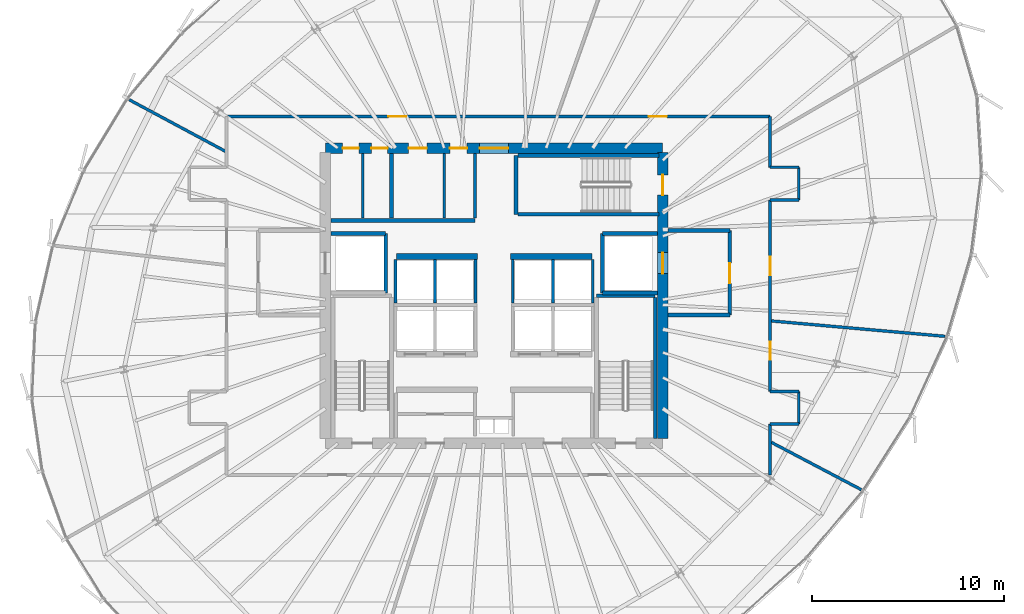
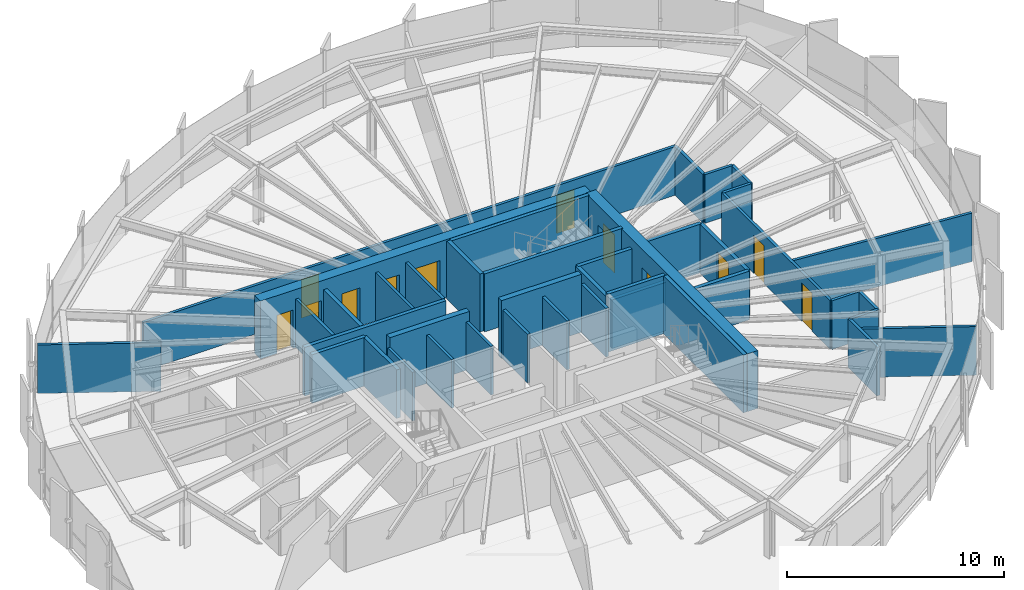
# One storey, part 30 of 34: 41 walls, 12 doors, 12 openings.
"""IFC4 building model written with IfcOpenShell, lengths in metres."""

from ifc_helpers import new_model, si_unit, direction, frame, frame_2d, origin, place, context, subcontext, project, spatial, rectangle, extrude, source, transform, mapped, material, layer, layer_set, type_object, element, fill, save


model = new_model("IFC4")

# Units and contexts
model_context = context("Model", 3, precision=1e-05, world=origin(), true_north=direction((0.0, 1.0)))
body_context = subcontext(model_context, "Body", "Model", "MODEL_VIEW")
ifc_project = project(units=[si_unit("LENGTHUNIT", "METRE"), si_unit("AREAUNIT", "SQUARE_METRE"), si_unit("VOLUMEUNIT", "CUBIC_METRE"), si_unit("PLANEANGLEUNIT", "RADIAN"), si_unit("MASSUNIT", "GRAM", prefix="KILO"), si_unit("THERMODYNAMICTEMPERATUREUNIT", "KELVIN")], contexts=[model_context])

# Site, building, storey
site_placement = place(None, origin())
site = spatial("IfcSite", under=ifc_project, at=site_placement, CompositionType="ELEMENT")
building_placement = place(site_placement, origin())
building = spatial("IfcBuilding", under=site, at=building_placement, Name="Kethvar Cultural Tower", CompositionType="ELEMENT")
storey_placement = place(building_placement, frame((0.0, 0.0, 186.89990234375)))
storey = spatial("IfcBuildingStorey", under=building, at=storey_placement, Name="L48", CompositionType="ELEMENT", Elevation=186.89990234375)

# Wall, openings, doors
ifc_material_1 = material(Name="Concrete C60/75", Category="concrete")
ifc_layer_1 = layer(ifc_material_1, 0.550048828125, Name="Concrete C60/75", Category="concrete")
ifc_layer_set_1 = layer_set([ifc_layer_1], Name="Concrete C60/75 (550 mm)")
wall_type_1 = type_object("IfcWallType", Name="WL-CORE-550", PredefinedType="SHEAR", material=ifc_layer_set_1)
wall_1_placement = place(storey_placement, frame((55.60009765625, 35.5, 0.0), z_axis=(0.0, 0.0, 1.0), x_axis=(-1.0, 0.0, 0.0)))
wall_1 = element("IfcWall", 1, at=wall_1_placement, inside=storey, type_object=wall_type_1, Name="L48 Core Shear Wall N", PredefinedType="SHEAR", context=body_context, shape_type="SweptSolid", body=[
    extrude(rectangle(XDim=17.60009765625, YDim=0.550048828125, at=frame_2d((8.800048828125, 0.0))), origin(), (0.0, 0.0, 1.0), 3.260009765625),
])
opening_1_placement = place(wall_1_placement, frame((8.050048828125, 0.0, 0.0)))
opening_1 = element("IfcOpeningElement", 2, at=opening_1_placement, cuts=wall_1, Name="Opening D-L48-LN", PredefinedType="OPENING", context=body_context, shape_type="SweptSolid", body=[
    extrude(rectangle(XDim=1.5, YDim=2.199951171875, at=frame_2d((0.75, 1.10009765625))), frame((0.0, 0.284912109375, 0.0), z_axis=(0.0, -1.0, 0.0), x_axis=(1.0, 0.0, 0.0)), (0.0, 0.0, 1.0), 0.570068359375),
])
opening_2_placement = place(wall_1_placement, frame((15.85009765625, 0.0, 0.0)))
opening_2 = element("IfcOpeningElement", 3, at=opening_2_placement, cuts=wall_1, Name="Opening D-L48-E1", PredefinedType="OPENING", context=body_context, shape_type="SweptSolid", body=[
    extrude(rectangle(XDim=0.85009765625, YDim=2.14990234375, at=frame_2d((0.425048828125, 1.074951171875))), frame((0.0, 0.284912109375, 0.0), z_axis=(0.0, -1.0, 0.0), x_axis=(1.0, 0.0, 0.0)), (0.0, 0.0, 1.0), 0.570068359375),
])
opening_3_placement = place(wall_1_placement, frame((14.35009765625, 0.0, 0.0)))
opening_3 = element("IfcOpeningElement", 4, at=opening_3_placement, cuts=wall_1, Name="Opening D-L48-E2", PredefinedType="OPENING", context=body_context, shape_type="SweptSolid", body=[
    extrude(rectangle(XDim=0.85009765625, YDim=2.14990234375, at=frame_2d((0.425048828125, 1.074951171875))), frame((0.0, 0.284912109375, 0.0), z_axis=(0.0, -1.0, 0.0), x_axis=(1.0, 0.0, 0.0)), (0.0, 0.0, 1.0), 0.570068359375),
])
opening_4_placement = place(wall_1_placement, frame((12.300048828125, 0.0, 0.0)))
opening_4 = element("IfcOpeningElement", 5, at=opening_4_placement, cuts=wall_1, Name="Opening D-L48-W1", PredefinedType="OPENING", context=body_context, shape_type="SweptSolid", body=[
    extrude(rectangle(XDim=0.949951171875, YDim=2.14990234375, at=frame_2d((0.47509765625, 1.074951171875))), frame((0.0, 0.284912109375, 0.0), z_axis=(0.0, -1.0, 0.0), x_axis=(1.0, 0.0, 0.0)), (0.0, 0.0, 1.0), 0.570068359375),
])
opening_5_placement = place(wall_1_placement, frame((10.199951171875, 0.0, 0.0)))
opening_5 = element("IfcOpeningElement", 6, at=opening_5_placement, cuts=wall_1, Name="Opening D-L48-W2", PredefinedType="OPENING", context=body_context, shape_type="SweptSolid", body=[
    extrude(rectangle(XDim=0.89990234375, YDim=2.14990234375, at=frame_2d((0.449951171875, 1.074951171875))), frame((0.0, 0.284912109375, 0.0), z_axis=(0.0, -1.0, 0.0), x_axis=(1.0, 0.0, 0.0)), (0.0, 0.0, 1.0), 0.570068359375),
])
ifc_material_2 = material(Name="Architectural Oak Timber", Category="wood")
door_type_1 = type_object("IfcDoorType", Name="DR-DBL-FD60-1500", OperationType="DOUBLE_DOOR_SINGLE_SWING", PredefinedType="DOOR", material=ifc_material_2)
shared_shape_1 = source(origin(), body_context, "Body", "SweptSolid", [
    extrude(rectangle(XDim=1.5, YDim=2.199951171875, at=frame_2d((0.75, 1.10009765625))), frame((0.0, 0.02490234375, 0.0), z_axis=(0.0, -1.0, 0.0), x_axis=(1.0, 0.0, 0.0)), (0.0, 0.0, 1.0), 0.050048828125),
])
door_1_placement = place(opening_1_placement, origin())
door_1 = element("IfcDoor", 7, at=door_1_placement, inside=storey, type_object=door_type_1, Name="L48 Lift Lobby Concourse Door", OperationType="DOUBLE_DOOR_SINGLE_SWING", OverallHeight=2.199951171875, OverallWidth=1.5, PredefinedType="DOOR", context=body_context, shape_type="MappedRepresentation", body=[
    mapped(shared_shape_1, transform((0.0, 0.0, 0.0), scale=1.0)),
])
fill(opening_1, door_1)
door_type_2 = type_object("IfcDoorType", Name="DR-FD30-950", OperationType="NOTDEFINED", PredefinedType="DOOR", material=ifc_material_2)
shared_shape_2 = source(origin(), body_context, "Body", "SweptSolid", [
    extrude(rectangle(XDim=0.949951171875, YDim=2.14990234375, at=frame_2d((0.47509765625, 1.074951171875))), frame((0.0, 0.02490234375, 0.0), z_axis=(0.0, -1.0, 0.0), x_axis=(1.0, 0.0, 0.0)), (0.0, 0.0, 1.0), 0.050048828125),
])
door_2_placement = place(opening_4_placement, origin())
door_2 = element("IfcDoor", 8, at=door_2_placement, inside=storey, type_object=door_type_2, Name="L48 Public Washroom Door", OperationType="SINGLE_SWING_LEFT", OverallHeight=2.14990234375, OverallWidth=0.949951171875, PredefinedType="DOOR", context=body_context, shape_type="MappedRepresentation", body=[
    mapped(shared_shape_2, transform((0.0, 0.0, 0.0), scale=1.0)),
])
fill(opening_4, door_2)
door_type_3 = type_object("IfcDoorType", Name="DR-FD30-900", OperationType="NOTDEFINED", PredefinedType="DOOR", material=ifc_material_2)
shared_shape_3 = source(origin(), body_context, "Body", "SweptSolid", [
    extrude(rectangle(XDim=0.89990234375, YDim=2.14990234375, at=frame_2d((0.449951171875, 1.074951171875))), frame((0.0, 0.02490234375, 0.0), z_axis=(0.0, -1.0, 0.0), x_axis=(1.0, 0.0, 0.0)), (0.0, 0.0, 1.0), 0.050048828125),
])
door_3_placement = place(opening_5_placement, origin())
door_3 = element("IfcDoor", 9, at=door_3_placement, inside=storey, type_object=door_type_3, Name="L48 Accessible Washroom Door", OperationType="SINGLE_SWING_RIGHT", OverallHeight=2.14990234375, OverallWidth=0.89990234375, PredefinedType="DOOR", context=body_context, shape_type="MappedRepresentation", body=[
    mapped(shared_shape_3, transform((0.0, 0.0, 0.0), scale=1.0)),
])
fill(opening_5, door_3)
ifc_material_3 = material(Name="Steel S355J2", Category="steel")
door_type_4 = type_object("IfcDoorType", Name="DR-FD30-850", OperationType="NOTDEFINED", PredefinedType="DOOR", material=ifc_material_3)
shared_shape_4 = source(origin(), body_context, "Body", "SweptSolid", [
    extrude(rectangle(XDim=0.85009765625, YDim=2.14990234375, at=frame_2d((0.425048828125, 1.074951171875))), frame((0.0, 0.02490234375, 0.0), z_axis=(0.0, -1.0, 0.0), x_axis=(1.0, 0.0, 0.0)), (0.0, 0.0, 1.0), 0.050048828125),
])
door_4_placement = place(opening_2_placement, origin())
door_4 = element("IfcDoor", 10, at=door_4_placement, inside=storey, type_object=door_type_4, Name="L48 Electrical Riser Door", OperationType="SINGLE_SWING_LEFT", OverallHeight=2.14990234375, OverallWidth=0.85009765625, PredefinedType="DOOR", context=body_context, shape_type="MappedRepresentation", body=[
    mapped(shared_shape_4, transform((0.0, 0.0, 0.0), scale=1.0)),
])
fill(opening_2, door_4)
door_5_placement = place(opening_3_placement, origin())
door_5 = element("IfcDoor", 11, at=door_5_placement, inside=storey, type_object=door_type_4, Name="L48 Chilled Water Riser Door", OperationType="SINGLE_SWING_RIGHT", OverallHeight=2.14990234375, OverallWidth=0.85009765625, PredefinedType="DOOR", context=body_context, shape_type="MappedRepresentation", body=[
    mapped(shared_shape_4, transform((0.0, 0.0, 0.0), scale=1.0)),
])
fill(opening_3, door_5)

wall_2_placement = place(storey_placement, frame((55.60009765625, 20.340087890625, 0.0), z_axis=(0.0, 0.0, 1.0), x_axis=(0.0, 1.0, 0.0)))
wall_2 = element("IfcWall", 12, at=wall_2_placement, inside=storey, type_object=wall_type_1, Name="L48 Core Shear Wall E", PredefinedType="SHEAR", context=body_context, shape_type="SweptSolid", body=[
    extrude(rectangle(XDim=14.919921875, YDim=0.550048828125, at=frame_2d((7.4599609375, 0.0))), origin(), (0.0, 0.0, 1.0), 3.260009765625),
])
opening_6_placement = place(wall_2_placement, frame((12.7099609375, 0.0, 0.0)))
opening_6 = element("IfcOpeningElement", 13, at=opening_6_placement, cuts=wall_2, Name="Opening D-L48-S3", PredefinedType="OPENING", context=body_context, shape_type="SweptSolid", body=[
    extrude(rectangle(XDim=1.050048828125, YDim=2.14990234375, at=frame_2d((0.52490234375, 1.074951171875))), frame((0.0, 0.284912109375, 0.0), z_axis=(0.0, -1.0, 0.0), x_axis=(1.0, 0.0, 0.0)), (0.0, 0.0, 1.0), 0.570068359375),
])
opening_7_placement = place(wall_2_placement, frame((8.610107421875, 0.0, 0.0)))
opening_7 = element("IfcOpeningElement", 14, at=opening_7_placement, cuts=wall_2, Name="Opening LD-2", PredefinedType="OPENING", context=body_context, shape_type="SweptSolid", body=[
    extrude(rectangle(XDim=1.10009765625, YDim=2.199951171875, at=frame_2d((0.550048828125, 1.10009765625))), frame((0.0, 0.284912109375, 0.0), z_axis=(0.0, -1.0, 0.0), x_axis=(1.0, 0.0, 0.0)), (0.0, 0.0, 1.0), 0.570068359375),
])
door_type_5 = type_object("IfcDoorType", Name="DR-FD60-1050", OperationType="NOTDEFINED", PredefinedType="DOOR", material=ifc_material_3)
shared_shape_5 = source(origin(), body_context, "Body", "SweptSolid", [
    extrude(rectangle(XDim=1.050048828125, YDim=2.14990234375, at=frame_2d((0.52490234375, 1.074951171875))), frame((0.0, 0.02490234375, 0.0), z_axis=(0.0, -1.0, 0.0), x_axis=(1.0, 0.0, 0.0)), (0.0, 0.0, 1.0), 0.050048828125),
])
door_6_placement = place(opening_6_placement, origin())
door_6 = element("IfcDoor", 15, at=door_6_placement, inside=storey, type_object=door_type_5, Name="L48 Exit Stair 3 Door", OperationType="SINGLE_SWING_LEFT", OverallHeight=2.14990234375, OverallWidth=1.050048828125, PredefinedType="DOOR", context=body_context, shape_type="MappedRepresentation", body=[
    mapped(shared_shape_5, transform((0.0, 0.0, 0.0), scale=1.0)),
])
fill(opening_6, door_6)
door_type_6 = type_object("IfcDoorType", Name="DR-LIFT-SLIDE-1100", OperationType="NOTDEFINED", PredefinedType="DOOR", material=ifc_material_3)
shared_shape_6 = source(origin(), body_context, "Body", "SweptSolid", [
    extrude(rectangle(XDim=1.10009765625, YDim=2.199951171875, at=frame_2d((0.550048828125, 1.10009765625))), frame((0.0, 0.02490234375, 0.0), z_axis=(0.0, -1.0, 0.0), x_axis=(1.0, 0.0, 0.0)), (0.0, 0.0, 1.0), 0.050048828125),
])
door_7_placement = place(opening_7_placement, origin())
door_7 = element("IfcDoor", 16, at=door_7_placement, inside=storey, type_object=door_type_6, Name="L48 Firefighting Lift Landing Door FFL-02", OperationType="SLIDING_TO_RIGHT", OverallHeight=2.199951171875, OverallWidth=1.10009765625, PredefinedType="DOOR", context=body_context, shape_type="MappedRepresentation", body=[
    mapped(shared_shape_6, transform((0.0, 0.0, 0.0), scale=1.0)),
])
fill(opening_7, door_7)

# Walls
ifc_material_4 = material(Name="Gypsum Fireboard Partition")
ifc_layer_2 = layer(ifc_material_4, 0.14990234375, Name="Gypsum Fireboard Partition")
ifc_layer_set_2 = layer_set([ifc_layer_2], Name="Gypsum Fireboard Partition (150 mm)")
wall_type_2 = type_object("IfcWallType", Name="WL-FIRE-150", PredefinedType="PARTITIONING", material=ifc_layer_set_2)
for number, where, z_axis, x_axis, name in (
    (17, (41.64990234375, 27.409912109375, 0.0), (0.0, 0.0, 1.0), (0.0, 1.0, 0.0), "L48 High-Rise Lift Shaft Outer Wall W"),
    (18, (43.72509765625, 27.409912109375, 0.0), (0.0, 0.0, 1.0), (0.0, 1.0, 0.0), "L48 High-Rise Lift Shaft Divider W"),
    (19, (45.824951171875, 27.409912109375, 0.0), (0.0, 0.0, 1.0), (0.0, 1.0, 0.0), "L48 High-Rise Lift Shaft Concourse Wall W"),
    (20, (47.77490234375, 27.409912109375, 0.0), (0.0, 0.0, 1.0), (0.0, 1.0, 0.0), "L48 High-Rise Lift Shaft Concourse Wall E"),
    (21, (49.875, 27.409912109375, 0.0), (0.0, 0.0, 1.0), (0.0, 1.0, 0.0), "L48 High-Rise Lift Shaft Divider E"),
    (22, (51.949951171875, 27.409912109375, 0.0), (0.0, 0.0, 1.0), (0.0, 1.0, 0.0), "L48 High-Rise Lift Shaft Outer Wall E"),
):
    element("IfcWall", number, at=place(storey_placement, frame(where, z_axis=z_axis, x_axis=x_axis)), inside=storey, type_object=wall_type_2, Name=name, PredefinedType="PARTITIONING", context=body_context, shape_type="SweptSolid", body=[
        extrude(rectangle(XDim=2.27001953125, YDim=0.14990234375, at=frame_2d((1.135009765625, 0.0))), origin(), (0.0, 0.0, 1.0), 2.735107421875),
    ])
for number, where, z_axis, x_axis, name in (
    (23, (45.800048828125, 31.85009765625, 0.0), (0.0, 0.0, 1.0), (0.0, 1.0, 0.0), "L48 Sanitary Spine Wall"),
    (24, (39.949951171875, 31.85009765625, 0.0), (0.0, 0.0, 1.0), (0.0, 1.0, 0.0), "L48 NW Riser Divider"),
):
    element("IfcWall", number, at=place(storey_placement, frame(where, z_axis=z_axis, x_axis=x_axis)), inside=storey, type_object=wall_type_2, Name=name, PredefinedType="PARTITIONING", context=body_context, shape_type="SweptSolid", body=[
        extrude(rectangle(XDim=3.364990234375, YDim=0.14990234375, at=frame_2d((1.6826171875, 0.0))), origin(), (0.0, 0.0, 1.0), 2.735107421875),
    ])
wall_3_placement = place(storey_placement, frame((61.199951171875, 18.449951171875, 0.0), z_axis=(0.0, 0.0, 1.0), x_axis=(0.0, 1.0, 0.0)))
element("IfcWall", 25, at=wall_3_placement, inside=storey, type_object=wall_type_2, Name="L48 Corridor Rated Wall E1", PredefinedType="PARTITIONING", context=body_context, shape_type="SweptSolid", body=[
    extrude(rectangle(XDim=2.650146484375, YDim=0.14990234375, at=frame_2d((1.3251953125, 0.0))), origin(), (0.0, 0.0, 1.0), 2.735107421875),
])
wall_4_placement = place(storey_placement, frame((61.199951171875, 21.10009765625, 0.0), z_axis=(0.0, 0.0, 1.0), x_axis=(1.0, 0.0, 0.0)))
element("IfcWall", 26, at=wall_4_placement, inside=storey, type_object=wall_type_2, Name="L48 Corridor Rated Wall ESB", PredefinedType="PARTITIONING", context=body_context, shape_type="SweptSolid", body=[
    extrude(rectangle(XDim=1.5, YDim=0.14990234375, at=frame_2d((0.75, 0.0))), origin(), (0.0, 0.0, 1.0), 2.735107421875),
])
wall_5_placement = place(storey_placement, frame((62.699951171875, 21.10009765625, 0.0), z_axis=(0.0, 0.0, 1.0), x_axis=(0.0, 1.0, 0.0)))
element("IfcWall", 27, at=wall_5_placement, inside=storey, type_object=wall_type_2, Name="L48 Corridor Rated Wall ES", PredefinedType="PARTITIONING", context=body_context, shape_type="SweptSolid", body=[
    extrude(rectangle(XDim=1.699951171875, YDim=0.14990234375, at=frame_2d((0.85009765625, 0.0))), origin(), (0.0, 0.0, 1.0), 2.735107421875),
])
wall_6_placement = place(storey_placement, frame((62.699951171875, 22.800048828125, 0.0), z_axis=(0.0, 0.0, 1.0), x_axis=(-1.0, 0.0, 0.0)))
element("IfcWall", 28, at=wall_6_placement, inside=storey, type_object=wall_type_2, Name="L48 Corridor Rated Wall EST", PredefinedType="PARTITIONING", context=body_context, shape_type="SweptSolid", body=[
    extrude(rectangle(XDim=1.5, YDim=0.14990234375, at=frame_2d((0.75, 0.0))), origin(), (0.0, 0.0, 1.0), 2.735107421875),
])

# Wall, openings, doors
wall_7_placement = place(storey_placement, frame((61.199951171875, 22.800048828125, 0.0), z_axis=(0.0, 0.0, 1.0), x_axis=(0.0, 1.0, 0.0)))
wall_7 = element("IfcWall", 29, at=wall_7_placement, inside=storey, type_object=wall_type_2, Name="L48 Corridor Rated Wall EM", PredefinedType="PARTITIONING", context=body_context, shape_type="SweptSolid", body=[
    extrude(rectangle(XDim=10.0, YDim=0.14990234375, at=frame_2d((5.0, 0.0))), origin(), (0.0, 0.0, 1.0), 2.735107421875),
])
opening_8_placement = place(wall_7_placement, frame((1.66015625, 0.0, 0.0)))
opening_8 = element("IfcOpeningElement", 30, at=opening_8_placement, cuts=wall_7, Name="Opening D-L48-03", PredefinedType="OPENING", context=body_context, shape_type="SweptSolid", body=[
    extrude(rectangle(XDim=0.949951171875, YDim=2.14990234375, at=frame_2d((0.47509765625, 1.074951171875))), frame((0.0, 0.0849609375, 0.0), z_axis=(0.0, -1.0, 0.0), x_axis=(1.0, 0.0, 0.0)), (0.0, 0.0, 1.0), 0.169921875),
])
opening_9_placement = place(wall_7_placement, frame((6.07958984375, 0.0, 0.0)))
opening_9 = element("IfcOpeningElement", 31, at=opening_9_placement, cuts=wall_7, Name="Opening D-L48-04", PredefinedType="OPENING", context=body_context, shape_type="SweptSolid", body=[
    extrude(rectangle(XDim=0.949951171875, YDim=2.14990234375, at=frame_2d((0.47509765625, 1.074951171875))), frame((0.0, 0.0849609375, 0.0), z_axis=(0.0, -1.0, 0.0), x_axis=(1.0, 0.0, 0.0)), (0.0, 0.0, 1.0), 0.169921875),
])
door_8_placement = place(opening_8_placement, origin())
door_8 = element("IfcDoor", 32, at=door_8_placement, inside=storey, type_object=door_type_2, Name="L48 Decorative Arts Craft Workshop 03 Door", OperationType="SINGLE_SWING_LEFT", OverallHeight=2.14990234375, OverallWidth=0.949951171875, PredefinedType="DOOR", context=body_context, shape_type="MappedRepresentation", body=[
    mapped(shared_shape_2, transform((0.0, 0.0, 0.0), scale=1.0)),
])
fill(opening_8, door_8)
door_9_placement = place(opening_9_placement, origin())
door_9 = element("IfcDoor", 33, at=door_9_placement, inside=storey, type_object=door_type_2, Name="L48 Curatorial Conference Room 04 Door", OperationType="SINGLE_SWING_RIGHT", OverallHeight=2.14990234375, OverallWidth=0.949951171875, PredefinedType="DOOR", context=body_context, shape_type="MappedRepresentation", body=[
    mapped(shared_shape_2, transform((0.0, 0.0, 0.0), scale=1.0)),
])
fill(opening_9, door_9)

# Walls
wall_8_placement = place(storey_placement, frame((61.199951171875, 32.800048828125, 0.0), z_axis=(0.0, 0.0, 1.0), x_axis=(1.0, 0.0, 0.0)))
element("IfcWall", 34, at=wall_8_placement, inside=storey, type_object=wall_type_2, Name="L48 Corridor Rated Wall ENB", PredefinedType="PARTITIONING", context=body_context, shape_type="SweptSolid", body=[
    extrude(rectangle(XDim=1.5, YDim=0.14990234375, at=frame_2d((0.75, 0.0))), origin(), (0.0, 0.0, 1.0), 2.735107421875),
])
wall_9_placement = place(storey_placement, frame((62.699951171875, 32.800048828125, 0.0), z_axis=(0.0, 0.0, 1.0), x_axis=(0.0, 1.0, 0.0)))
element("IfcWall", 35, at=wall_9_placement, inside=storey, type_object=wall_type_2, Name="L48 Corridor Rated Wall EN", PredefinedType="PARTITIONING", context=body_context, shape_type="SweptSolid", body=[
    extrude(rectangle(XDim=1.699951171875, YDim=0.14990234375, at=frame_2d((0.85009765625, 0.0))), origin(), (0.0, 0.0, 1.0), 2.735107421875),
])
wall_10_placement = place(storey_placement, frame((62.699951171875, 34.5, 0.0), z_axis=(0.0, 0.0, 1.0), x_axis=(-1.0, 0.0, 0.0)))
element("IfcWall", 36, at=wall_10_placement, inside=storey, type_object=wall_type_2, Name="L48 Corridor Rated Wall ENT", PredefinedType="PARTITIONING", context=body_context, shape_type="SweptSolid", body=[
    extrude(rectangle(XDim=1.5, YDim=0.14990234375, at=frame_2d((0.75, 0.0))), origin(), (0.0, 0.0, 1.0), 2.735107421875),
])
wall_11_placement = place(storey_placement, frame((61.199951171875, 34.5, 0.0), z_axis=(0.0, 0.0, 1.0), x_axis=(0.0, 1.0, 0.0)))
element("IfcWall", 37, at=wall_11_placement, inside=storey, type_object=wall_type_2, Name="L48 Corridor Rated Wall E2", PredefinedType="PARTITIONING", context=body_context, shape_type="SweptSolid", body=[
    extrude(rectangle(XDim=2.64990234375, YDim=0.14990234375, at=frame_2d((1.324951171875, 0.0))), origin(), (0.0, 0.0, 1.0), 2.735107421875),
])

# Wall, openings, doors
wall_12_placement = place(storey_placement, frame((61.199951171875, 37.14990234375, 0.0), z_axis=(0.0, 0.0, 1.0), x_axis=(-1.0, 0.0, 0.0)))
wall_12 = element("IfcWall", 38, at=wall_12_placement, inside=storey, type_object=wall_type_2, Name="L48 Corridor Rated Wall N", PredefinedType="PARTITIONING", context=body_context, shape_type="SweptSolid", body=[
    extrude(rectangle(XDim=28.349853515625, YDim=0.14990234375, at=frame_2d((14.1748046875, 0.0))), origin(), (0.0, 0.0, 1.0), 2.735107421875),
])
opening_10_placement = place(wall_12_placement, frame((5.380126953125, 0.0, 0.0)))
opening_10 = element("IfcOpeningElement", 39, at=opening_10_placement, cuts=wall_12, Name="Opening D-L48-05", PredefinedType="OPENING", context=body_context, shape_type="SweptSolid", body=[
    extrude(rectangle(XDim=0.949951171875, YDim=2.14990234375, at=frame_2d((0.47509765625, 1.074951171875))), frame((0.0, 0.0849609375, 0.0), z_axis=(0.0, -1.0, 0.0), x_axis=(1.0, 0.0, 0.0)), (0.0, 0.0, 1.0), 0.169921875),
])
opening_11_placement = place(wall_12_placement, frame((18.967041015625, 0.0, 0.0)))
opening_11 = element("IfcOpeningElement", 40, at=opening_11_placement, cuts=wall_12, Name="Opening D-L48-06", PredefinedType="OPENING", context=body_context, shape_type="SweptSolid", body=[
    extrude(rectangle(XDim=0.949951171875, YDim=2.14990234375, at=frame_2d((0.47509765625, 1.074951171875))), frame((0.0, 0.0849609375, 0.0), z_axis=(0.0, -1.0, 0.0), x_axis=(1.0, 0.0, 0.0)), (0.0, 0.0, 1.0), 0.169921875),
])
door_10_placement = place(opening_10_placement, origin())
door_10 = element("IfcDoor", 41, at=door_10_placement, inside=storey, type_object=door_type_2, Name="L48 Colloquium Seminar Room 05 Door", OperationType="SINGLE_SWING_LEFT", OverallHeight=2.14990234375, OverallWidth=0.949951171875, PredefinedType="DOOR", context=body_context, shape_type="MappedRepresentation", body=[
    mapped(shared_shape_2, transform((0.0, 0.0, 0.0), scale=1.0)),
])
fill(opening_10, door_10)
door_11_placement = place(opening_11_placement, origin())
door_11 = element("IfcDoor", 42, at=door_11_placement, inside=storey, type_object=door_type_2, Name="L48 Concourse Visitor Foyer 06 Door", OperationType="SINGLE_SWING_RIGHT", OverallHeight=2.14990234375, OverallWidth=0.949951171875, PredefinedType="DOOR", context=body_context, shape_type="MappedRepresentation", body=[
    mapped(shared_shape_2, transform((0.0, 0.0, 0.0), scale=1.0)),
])
fill(opening_11, door_11)

# Walls
ifc_material_5 = material(Name="Concrete C40/50", Category="concrete")
ifc_layer_3 = layer(ifc_material_5, 0.199951171875, Name="Concrete C40/50", Category="concrete")
ifc_layer_set_3 = layer_set([ifc_layer_3], Name="Concrete C40/50 (200 mm)")
wall_type_3 = type_object("IfcWallType", Name="WL-FIRE-200", PredefinedType="PARTITIONING", material=ifc_layer_set_3)
wall_13_placement = place(storey_placement, frame((41.14990234375, 27.949951171875, 0.0), z_axis=(0.0, 0.0, 1.0), x_axis=(0.0, 1.0, 0.0)))
element("IfcWall", 43, at=wall_13_placement, inside=storey, type_object=wall_type_3, Name="L48 FFL-01 Shaft Inner Wall", PredefinedType="PARTITIONING", context=body_context, shape_type="SweptSolid", body=[
    extrude(rectangle(XDim=3.10009765625, YDim=0.199951171875, at=frame_2d((1.550048828125, 0.0))), origin(), (0.0, 0.0, 1.0), 2.735107421875),
])
wall_14_placement = place(storey_placement, frame((38.284912109375, 31.050048828125, 0.0), z_axis=(0.0, 0.0, 1.0), x_axis=(1.0, 0.0, 0.0)))
element("IfcWall", 44, at=wall_14_placement, inside=storey, type_object=wall_type_3, Name="L48 FFL-01 Shaft North Wall", PredefinedType="PARTITIONING", context=body_context, shape_type="SweptSolid", body=[
    extrude(rectangle(XDim=2.864990234375, YDim=0.199951171875, at=frame_2d((1.4326171875, 0.0))), origin(), (0.0, 0.0, 1.0), 2.735107421875),
])
wall_15_placement = place(storey_placement, frame((52.449951171875, 27.949951171875, 0.0), z_axis=(0.0, 0.0, 1.0), x_axis=(0.0, 1.0, 0.0)))
element("IfcWall", 45, at=wall_15_placement, inside=storey, type_object=wall_type_3, Name="L48 FFL-02 Shaft Inner Wall", PredefinedType="PARTITIONING", context=body_context, shape_type="SweptSolid", body=[
    extrude(rectangle(XDim=3.10009765625, YDim=0.199951171875, at=frame_2d((1.550048828125, 0.0))), origin(), (0.0, 0.0, 1.0), 2.735107421875),
])
for number, where, z_axis, x_axis, name in (
    (46, (52.449951171875, 27.949951171875, 0.0), (0.0, 0.0, 1.0), (1.0, 0.0, 0.0), "L48 FFL-02 Shaft South Wall"),
    (47, (52.449951171875, 31.050048828125, 0.0), (0.0, 0.0, 1.0), (1.0, 0.0, 0.0), "L48 FFL-02 Shaft North Wall"),
):
    element("IfcWall", number, at=place(storey_placement, frame(where, z_axis=z_axis, x_axis=x_axis)), inside=storey, type_object=wall_type_3, Name=name, PredefinedType="PARTITIONING", context=body_context, shape_type="SweptSolid", body=[
        extrude(rectangle(XDim=2.864990234375, YDim=0.199951171875, at=frame_2d((1.4326171875, 0.0))), origin(), (0.0, 0.0, 1.0), 2.735107421875),
    ])

# Wall, opening, door
wall_16_placement = place(storey_placement, frame((59.10009765625, 26.800048828125, 0.0), z_axis=(0.0, 0.0, 1.0), x_axis=(0.0, 1.0, 0.0)))
wall_16 = element("IfcWall", 48, at=wall_16_placement, inside=storey, type_object=wall_type_3, Name="L48 Firefighting Lobby 2 Wall", PredefinedType="PARTITIONING", context=body_context, shape_type="SweptSolid", body=[
    extrude(rectangle(XDim=4.39990234375, YDim=0.199951171875, at=frame_2d((2.199951171875, 0.0))), origin(), (0.0, 0.0, 1.0), 2.735107421875),
])
opening_12_placement = place(wall_16_placement, frame((1.64990234375, 0.0, 0.0)))
opening_12 = element("IfcOpeningElement", 49, at=opening_12_placement, cuts=wall_16, Name="Opening D-L48-F2", PredefinedType="OPENING", context=body_context, shape_type="SweptSolid", body=[
    extrude(rectangle(XDim=1.050048828125, YDim=2.14990234375, at=frame_2d((0.52490234375, 1.074951171875))), frame((0.0, 0.10986328125, 0.0), z_axis=(0.0, -1.0, 0.0), x_axis=(1.0, 0.0, 0.0)), (0.0, 0.0, 1.0), 0.219970703125),
])
door_12_placement = place(opening_12_placement, origin())
door_12 = element("IfcDoor", 50, at=door_12_placement, inside=storey, type_object=door_type_5, Name="L48 Firefighting Lobby 2 Fire Door", OperationType="SINGLE_SWING_LEFT", OverallHeight=2.14990234375, OverallWidth=1.050048828125, PredefinedType="DOOR", context=body_context, shape_type="MappedRepresentation", body=[
    mapped(shared_shape_5, transform((0.0, 0.0, 0.0), scale=1.0)),
])
fill(opening_12, door_12)

# Walls
for number, where, z_axis, x_axis, name in (
    (51, (55.885009765625, 26.800048828125, 0.0), (0.0, 0.0, 1.0), (1.0, 0.0, 0.0), "L48 FF Lobby 2 South Wall"),
    (52, (55.885009765625, 31.199951171875, 0.0), (0.0, 0.0, 1.0), (1.0, 0.0, 0.0), "L48 FF Lobby 2 North Wall"),
):
    element("IfcWall", number, at=place(storey_placement, frame(where, z_axis=z_axis, x_axis=x_axis)), inside=storey, type_object=wall_type_3, Name=name, PredefinedType="PARTITIONING", context=body_context, shape_type="SweptSolid", body=[
        extrude(rectangle(XDim=3.215087890625, YDim=0.199951171875, at=frame_2d((1.607421875, 0.0))), origin(), (0.0, 0.0, 1.0), 2.735107421875),
    ])
wall_17_placement = place(storey_placement, frame((41.449951171875, 31.85009765625, 0.0), z_axis=(0.0, 0.0, 1.0), x_axis=(0.0, 1.0, 0.0)))
element("IfcWall", 53, at=wall_17_placement, inside=storey, type_object=wall_type_3, Name="L48 NW Core Pocket Wall", PredefinedType="PARTITIONING", context=body_context, shape_type="SweptSolid", body=[
    extrude(rectangle(XDim=3.364990234375, YDim=0.199951171875, at=frame_2d((1.6826171875, 0.0))), origin(), (0.0, 0.0, 1.0), 2.735107421875),
])
wall_18_placement = place(storey_placement, frame((38.284912109375, 31.72998046875, 0.0), z_axis=(0.0, 0.0, 1.0), x_axis=(1.0, 0.0, 0.0)))
element("IfcWall", 54, at=wall_18_placement, inside=storey, type_object=wall_type_3, Name="L48 North Core Sanitary South Wall", PredefinedType="PARTITIONING", context=body_context, shape_type="SweptSolid", body=[
    extrude(rectangle(XDim=7.51513671875, YDim=0.199951171875, at=frame_2d((3.757568359375, 0.0))), origin(), (0.0, 0.0, 1.0), 2.735107421875),
])
ifc_material_6 = material(Name="Gypsum Acoustic Partition")
ifc_layer_4 = layer(ifc_material_6, 0.14990234375, Name="Gypsum Acoustic Partition")
ifc_layer_set_4 = layer_set([ifc_layer_4], Name="Gypsum Acoustic Partition (150 mm)")
wall_type_4 = type_object("IfcWallType", Name="WL-PART-150", PredefinedType="PARTITIONING", material=ifc_layer_set_4)
wall_19_placement = place(storey_placement, frame((61.270751953125, 20.149169921875, 0.0), z_axis=(0.0, 0.0, 1.0), x_axis=(0.884779352256, -0.466010190684, 0.0)))
element("IfcWall", 55, at=wall_19_placement, inside=storey, type_object=wall_type_4, Name="L48 Radial Partition Wall 03", PredefinedType="PARTITIONING", context=body_context, shape_type="SweptSolid", body=[
    extrude(rectangle(XDim=5.30224609375, YDim=0.14990234375, at=frame_2d((2.651123046875, 0.0))), origin(), (0.0, 0.0, 1.0), 2.735107421875),
])
wall_20_placement = place(storey_placement, frame((61.27978515625, 26.483154296875, 0.0), z_axis=(0.0, 0.0, 1.0), x_axis=(0.996095937169, -0.088277312801, 0.0)))
element("IfcWall", 56, at=wall_20_placement, inside=storey, type_object=wall_type_4, Name="L48 Radial Partition Wall 04", PredefinedType="PARTITIONING", context=body_context, shape_type="SweptSolid", body=[
    extrude(rectangle(XDim=9.0849609375, YDim=0.14990234375, at=frame_2d((4.54248046875, 0.0))), origin(), (0.0, 0.0, 1.0), 2.735107421875),
])
wall_21_placement = place(storey_placement, frame((32.779541015625, 35.336181640625, 0.0), z_axis=(0.0, 0.0, 1.0), x_axis=(-0.881284580635, 0.47258595825, 0.0)))
element("IfcWall", 57, at=wall_21_placement, inside=storey, type_object=wall_type_4, Name="L48 Radial Partition Wall 07", PredefinedType="PARTITIONING", context=body_context, shape_type="SweptSolid", body=[
    extrude(rectangle(XDim=5.686279296875, YDim=0.14990234375, at=frame_2d((2.84326171875, 0.0))), origin(), (0.0, 0.0, 1.0), 2.735107421875),
])
ifc_material_7 = material(Name="Moisture-Resistant Sanitary Chase Wall")
ifc_layer_5 = layer(ifc_material_7, 0.14990234375, Name="Moisture-Resistant Sanitary Chase Wall")
ifc_layer_set_5 = layer_set([ifc_layer_5], Name="Moisture-Resistant Sanitary Chase Wall (150 mm)")
wall_type_5 = type_object("IfcWallType", Name="WL-PLUMB-150", PredefinedType="PLUMBINGWALL", material=ifc_layer_set_5)
wall_22_placement = place(storey_placement, frame((44.199951171875, 31.85009765625, 0.0), z_axis=(0.0, 0.0, 1.0), x_axis=(0.0, 1.0, 0.0)))
element("IfcWall", 58, at=wall_22_placement, inside=storey, type_object=wall_type_5, Name="L48 Sanitary Plumbing Wall", PredefinedType="PLUMBINGWALL", context=body_context, shape_type="SweptSolid", body=[
    extrude(rectangle(XDim=3.364990234375, YDim=0.14990234375, at=frame_2d((1.6826171875, 0.0))), origin(), (0.0, 0.0, 1.0), 2.735107421875),
])
ifc_material_8 = material(Name="Concrete C50/60", Category="concrete")
ifc_layer_6 = layer(ifc_material_8, 0.300048828125, Name="Concrete C50/60", Category="concrete")
ifc_layer_set_6 = layer_set([ifc_layer_6], Name="Concrete C50/60 (300 mm)")
wall_type_6 = type_object("IfcWallType", Name="WL-SHAFT-300", PredefinedType="SHEAR", material=ifc_layer_set_6)
for number, where, z_axis, x_axis, name in (
    (59, (41.699951171875, 29.85009765625, 0.0), (0.0, 0.0, 1.0), (1.0, 0.0, 0.0), "L48 Core Lift Spine Wall MID3W"),
    (60, (47.64990234375, 29.85009765625, 0.0), (0.0, 0.0, 1.0), (1.0, 0.0, 0.0), "L48 Core Lift Spine Wall MID3E"),
):
    element("IfcWall", number, at=place(storey_placement, frame(where, z_axis=z_axis, x_axis=x_axis)), inside=storey, type_object=wall_type_6, Name=name, PredefinedType="SHEAR", context=body_context, shape_type="SweptSolid", body=[
        extrude(rectangle(XDim=4.25, YDim=0.300048828125, at=frame_2d((2.125, 0.0))), origin(), (0.0, 0.0, 1.0), 3.260009765625),
    ])
ifc_layer_7 = layer(ifc_material_8, 0.199951171875, Name="Concrete C50/60", Category="concrete")
ifc_layer_set_7 = layer_set([ifc_layer_7], Name="Concrete C50/60 (200 mm)")
wall_type_7 = type_object("IfcWallType", Name="WL-STSHAFT-200", PredefinedType="SHEAR", material=ifc_layer_set_7)
wall_23_placement = place(storey_placement, frame((52.14990234375, 27.800048828125, 0.0), z_axis=(0.0, 0.0, 1.0), x_axis=(1.0, 0.0, 0.0)))
element("IfcWall", 61, at=wall_23_placement, inside=storey, type_object=wall_type_7, Name="L48 ST-02 Stair Shaft Wall FAR", PredefinedType="SHEAR", context=body_context, shape_type="SweptSolid", body=[
    extrude(rectangle(XDim=3.06005859375, YDim=0.199951171875, at=frame_2d((1.530029296875, 0.0))), origin(), (0.0, 0.0, 1.0), 3.260009765625),
])
wall_24_placement = place(storey_placement, frame((55.2099609375, 27.699951171875, 0.0), z_axis=(0.0, 0.0, 1.0), x_axis=(0.0, -1.0, 0.0)))
element("IfcWall", 62, at=wall_24_placement, inside=storey, type_object=wall_type_7, Name="L48 ST-02 Stair Shaft Wall LEFT", PredefinedType="SHEAR", context=body_context, shape_type="SweptSolid", body=[
    extrude(rectangle(XDim=7.349853515625, YDim=0.199951171875, at=frame_2d((3.6748046875, 0.0))), origin(), (0.0, 0.0, 1.0), 3.260009765625),
])
wall_25_placement = place(storey_placement, frame((47.949951171875, 32.050048828125, 0.0), z_axis=(0.0, 0.0, 1.0), x_axis=(0.0, 1.0, 0.0)))
element("IfcWall", 63, at=wall_25_placement, inside=storey, type_object=wall_type_7, Name="L48 ST-03 Stair Shaft Wall FAR", PredefinedType="SHEAR", context=body_context, shape_type="SweptSolid", body=[
    extrude(rectangle(XDim=3.06005859375, YDim=0.199951171875, at=frame_2d((1.530029296875, 0.0))), origin(), (0.0, 0.0, 1.0), 3.260009765625),
])
for number, where, z_axis, x_axis, name in (
    (64, (48.050048828125, 35.110107421875, 0.0), (0.0, 0.0, 1.0), (1.0, 0.0, 0.0), "L48 ST-03 Stair Shaft Wall LEFT"),
    (65, (55.39990234375, 32.050048828125, 0.0), (0.0, 0.0, 1.0), (-1.0, 0.0, 0.0), "L48 ST-03 Stair Shaft Wall RIGHT"),
):
    element("IfcWall", number, at=place(storey_placement, frame(where, z_axis=z_axis, x_axis=x_axis)), inside=storey, type_object=wall_type_7, Name=name, PredefinedType="SHEAR", context=body_context, shape_type="SweptSolid", body=[
        extrude(rectangle(XDim=7.349853515625, YDim=0.199951171875, at=frame_2d((3.6748046875, 0.0))), origin(), (0.0, 0.0, 1.0), 3.260009765625),
    ])

save(model, "model.ifc")
